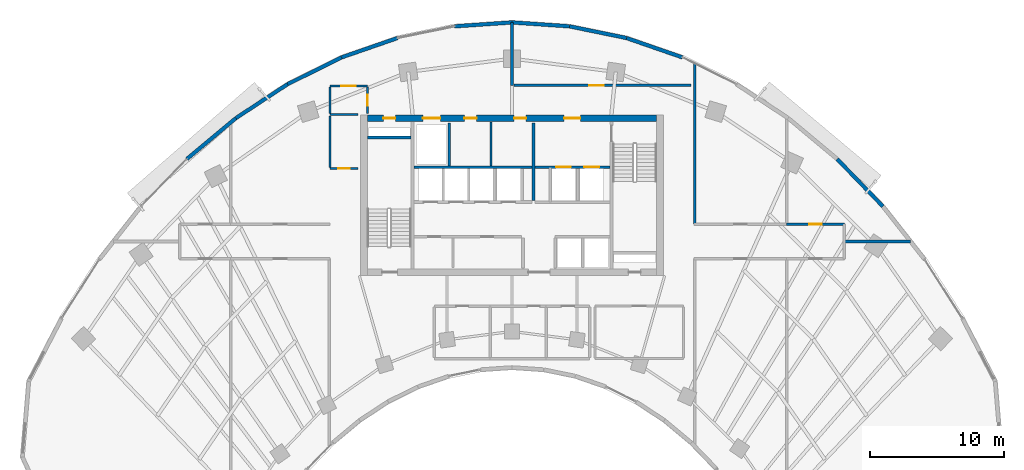
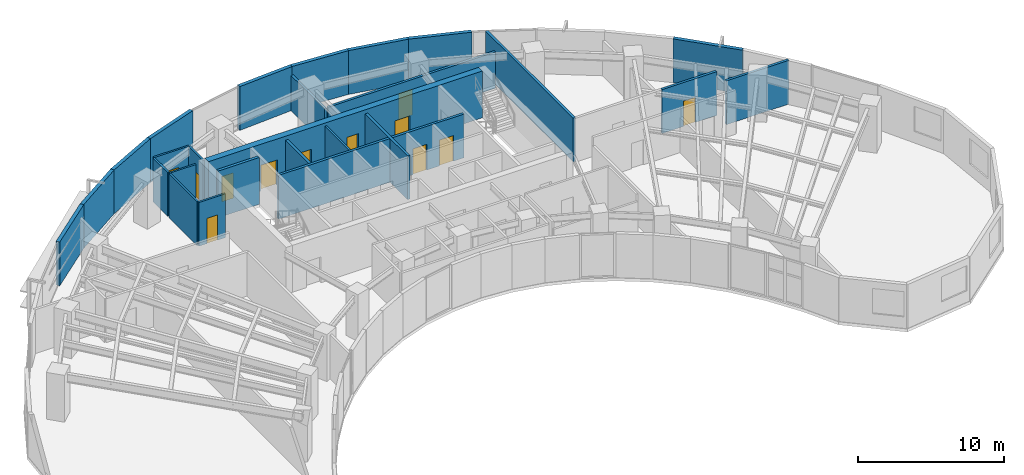
# One storey, part 10 of 13: 27 walls, 12 doors, 12 openings.
"""IFC4 building model written with IfcOpenShell, lengths in metres."""

from ifc_helpers import new_model, si_unit, direction, frame, frame_2d, origin, place, context, subcontext, project, spatial, rectangle, extrude, source, transform, mapped, material, layer, layer_set, type_object, type_shapes, element, fill, save


model = new_model("IFC4")

# Units and contexts
model_context = context("Model", 3, precision=1e-05, world=origin(), true_north=direction((0.0, 1.0)))
body_context = subcontext(model_context, "Body", "Model", "MODEL_VIEW")
ifc_project = project(units=[si_unit("LENGTHUNIT", "METRE"), si_unit("AREAUNIT", "SQUARE_METRE"), si_unit("VOLUMEUNIT", "CUBIC_METRE"), si_unit("PLANEANGLEUNIT", "RADIAN"), si_unit("MASSUNIT", "GRAM", prefix="KILO")], contexts=[model_context])

# Site, building, storey
site_placement = place(None, origin())
site = spatial("IfcSite", under=ifc_project, at=site_placement, CompositionType="ELEMENT")
building_placement = place(site_placement, origin())
building = spatial("IfcBuilding", under=site, at=building_placement, Name="Breltana Convention Tower", CompositionType="ELEMENT")
storey_placement = place(building_placement, frame((0.0, 0.0, 107.699951171875)))
storey = spatial("IfcBuildingStorey", under=building, at=storey_placement, Name="L25", CompositionType="ELEMENT", Elevation=107.699951171875)

# Wall, openings, doors
ifc_material_1 = material(Name="Concrete C60/75", Category="concrete")
ifc_layer_1 = layer(ifc_material_1, 0.5, Name="Concrete C60/75")
ifc_layer_set_1 = layer_set([ifc_layer_1], Name="Concrete C60/75")
wall_type_1 = type_object("IfcWallType", Name="SW-CORE-500", PredefinedType="SHEAR", material=ifc_layer_set_1)
shared_shape_1 = source(origin(), body_context, "Body", "SweptSolid", [
    extrude(rectangle(XDim=21.60009765625, YDim=0.5, at=frame_2d((10.800048828125, 0.0))), origin(), (0.0, 0.0, 1.0), 3.900146484375),
])
wall_1_placement = place(storey_placement, frame((37.199951171875, 71.949951171875, 0.0), z_axis=(0.0, 0.0, 1.0), x_axis=(1.0, 0.0, 0.0)))
wall_1 = element("IfcWall", 1, at=wall_1_placement, inside=storey, type_object=wall_type_1, Name="L25 North Core Shear Wall", PredefinedType="SHEAR", context=body_context, shape_type="MappedRepresentation", body=[
    mapped(shared_shape_1, transform((0.0, 0.0, 0.0), scale=1.0)),
])
opening_1_placement = place(wall_1_placement, frame((1.199951171875, 0.0, 0.0)))
opening_1 = element("IfcOpeningElement", 2, at=opening_1_placement, cuts=wall_1, Name="Opening D-18", PredefinedType="OPENING", context=body_context, shape_type="SweptSolid", body=[
    extrude(rectangle(XDim=0.89990234375, YDim=2.10009765625, at=frame_2d((0.449951171875, 1.050048828125))), frame((0.0, 0.260009765625, 0.0), z_axis=(0.0, -1.0, 0.0), x_axis=(1.0, 0.0, 0.0)), (0.0, 0.0, 1.0), 0.52001953125),
])
opening_2_placement = place(wall_1_placement, frame((14.699951171875, 0.0, 0.0)))
opening_2 = element("IfcOpeningElement", 3, at=opening_2_placement, cuts=wall_1, Name="Opening D-09", PredefinedType="OPENING", context=body_context, shape_type="SweptSolid", body=[
    extrude(rectangle(XDim=1.199951171875, YDim=2.14990234375, at=frame_2d((0.60009765625, 1.074951171875))), frame((0.0, 0.260009765625, 0.0), z_axis=(0.0, -1.0, 0.0), x_axis=(1.0, 0.0, 0.0)), (0.0, 0.0, 1.0), 0.52001953125),
])
opening_3_placement = place(wall_1_placement, frame((4.14990234375, 0.0, 0.0)))
opening_3 = element("IfcOpeningElement", 4, at=opening_3_placement, cuts=wall_1, Name="Opening LD-01", PredefinedType="OPENING", context=body_context, shape_type="SweptSolid", body=[
    extrude(rectangle(XDim=1.300048828125, YDim=2.14990234375, at=frame_2d((0.64990234375, 1.074951171875))), frame((0.0, 0.260009765625, 0.0), z_axis=(0.0, -1.0, 0.0), x_axis=(1.0, 0.0, 0.0)), (0.0, 0.0, 1.0), 0.52001953125),
])
opening_4_placement = place(wall_1_placement, frame((7.25, 0.0, 0.0)))
opening_4 = element("IfcOpeningElement", 5, at=opening_4_placement, cuts=wall_1, Name="Opening D-18", PredefinedType="OPENING", context=body_context, shape_type="SweptSolid", body=[
    extrude(rectangle(XDim=0.89990234375, YDim=2.10009765625, at=frame_2d((0.449951171875, 1.050048828125))), frame((0.0, 0.260009765625, 0.0), z_axis=(0.0, -1.0, 0.0), x_axis=(1.0, 0.0, 0.0)), (0.0, 0.0, 1.0), 0.52001953125),
])
opening_5_placement = place(wall_1_placement, frame((10.949951171875, 0.0, 0.0)))
opening_5 = element("IfcOpeningElement", 6, at=opening_5_placement, cuts=wall_1, Name="Opening D-18", PredefinedType="OPENING", context=body_context, shape_type="SweptSolid", body=[
    extrude(rectangle(XDim=0.89990234375, YDim=2.10009765625, at=frame_2d((0.449951171875, 1.050048828125))), frame((0.0, 0.260009765625, 0.0), z_axis=(0.0, -1.0, 0.0), x_axis=(1.0, 0.0, 0.0)), (0.0, 0.0, 1.0), 0.52001953125),
])
ifc_material_2 = material(Name="Steel Riser Fire Door", Category="steel")
door_type_1 = type_object("IfcDoorType", Name="DR-FD60-900", OperationType="NOTDEFINED", PredefinedType="DOOR", material=ifc_material_2)
shared_shape_2 = source(origin(), body_context, "Body", "SweptSolid", [
    extrude(rectangle(XDim=0.89990234375, YDim=2.10009765625, at=frame_2d((0.449951171875, 1.050048828125))), frame((0.0, 0.02490234375, 0.0), z_axis=(0.0, -1.0, 0.0), x_axis=(1.0, 0.0, 0.0)), (0.0, 0.0, 1.0), 0.050048828125),
])
type_shapes(door_type_1, [shared_shape_2])
door_1_placement = place(opening_1_placement, origin())
door_1 = element("IfcDoor", 7, at=door_1_placement, inside=storey, type_object=door_type_1, Name="L25 Core Riser Access Door D-L25-RS1", OperationType="SINGLE_SWING_LEFT", OverallHeight=2.10009765625, OverallWidth=0.89990234375, PredefinedType="DOOR", context=body_context, shape_type="MappedRepresentation", body=[
    mapped(shared_shape_2, transform((0.0, 0.0, 0.0), scale=1.0)),
])
fill(opening_1, door_1)
door_2_placement = place(opening_4_placement, origin())
door_2 = element("IfcDoor", 8, at=door_2_placement, inside=storey, type_object=door_type_1, Name="L25 interior door D-L25-CRA1", OperationType="SINGLE_SWING_LEFT", OverallHeight=2.10009765625, OverallWidth=0.89990234375, PredefinedType="DOOR", context=body_context, shape_type="MappedRepresentation", body=[
    mapped(shared_shape_2, transform((0.0, 0.0, 0.0), scale=1.0)),
])
fill(opening_4, door_2)
door_3_placement = place(opening_5_placement, origin())
door_3 = element("IfcDoor", 9, at=door_3_placement, inside=storey, type_object=door_type_1, Name="L25 interior door D-L25-CRA2", OperationType="SINGLE_SWING_RIGHT", OverallHeight=2.10009765625, OverallWidth=0.89990234375, PredefinedType="DOOR", context=body_context, shape_type="MappedRepresentation", body=[
    mapped(shared_shape_2, transform((0.0, 0.0, 0.0), scale=1.0)),
])
fill(opening_5, door_3)
ifc_material_3 = material(Name="Steel Fire Lobby Door", Category="steel")
door_type_2 = type_object("IfcDoorType", Name="DR-FD120-1200", OperationType="NOTDEFINED", PredefinedType="DOOR", material=ifc_material_3)
shared_shape_3 = source(origin(), body_context, "Body", "SweptSolid", [
    extrude(rectangle(XDim=1.199951171875, YDim=2.14990234375, at=frame_2d((0.60009765625, 1.074951171875))), frame((0.0, 0.02490234375, 0.0), z_axis=(0.0, -1.0, 0.0), x_axis=(1.0, 0.0, 0.0)), (0.0, 0.0, 1.0), 0.050048828125),
])
type_shapes(door_type_2, [shared_shape_3])
door_4_placement = place(opening_2_placement, origin())
door_4 = element("IfcDoor", 10, at=door_4_placement, inside=storey, type_object=door_type_2, Name="L25 interior door D-L25-FFL-N", OperationType="SINGLE_SWING_RIGHT", OverallHeight=2.14990234375, OverallWidth=1.199951171875, PredefinedType="DOOR", context=body_context, shape_type="MappedRepresentation", body=[
    mapped(shared_shape_3, transform((0.0, 0.0, 0.0), scale=1.0)),
])
fill(opening_2, door_4)
ifc_material_4 = material(Name="Stainless Steel Brushed", Category="steel")
door_type_3 = type_object("IfcDoorType", Name="DR-LD-SRV-1300", OperationType="DOUBLE_DOOR_SLIDING", PredefinedType="DOOR", material=ifc_material_4)
shared_shape_4 = source(origin(), body_context, "Body", "SweptSolid", [
    extrude(rectangle(XDim=1.300048828125, YDim=2.14990234375, at=frame_2d((0.64990234375, 1.074951171875))), frame((0.0, 0.02490234375, 0.0), z_axis=(0.0, -1.0, 0.0), x_axis=(1.0, 0.0, 0.0)), (0.0, 0.0, 1.0), 0.050048828125),
])
type_shapes(door_type_3, [shared_shape_4])
door_5_placement = place(opening_3_placement, origin())
door_5 = element("IfcDoor", 11, at=door_5_placement, inside=storey, type_object=door_type_3, Name="L25 Lift Landing Door D-L25-LD-SV1", OperationType="DOUBLE_DOOR_SLIDING", OverallHeight=2.14990234375, OverallWidth=1.300048828125, PredefinedType="DOOR", context=body_context, shape_type="MappedRepresentation", body=[
    mapped(shared_shape_4, transform((0.0, 0.0, 0.0), scale=1.0)),
])
fill(opening_3, door_5)

# Walls
ifc_material_5 = material(Name="Concrete C50/60", Category="concrete")
ifc_layer_2 = layer(ifc_material_5, 0.39990234375, Name="Concrete C50/60")
ifc_layer_set_2 = layer_set([ifc_layer_2], Name="Concrete C50/60")
wall_type_2 = type_object("IfcWallType", Name="SW-CORE-400", PredefinedType="SHEAR", material=ifc_layer_set_2)
shared_shape_5 = source(origin(), body_context, "Body", "SweptSolid", [
    extrude(rectangle(XDim=3.27001953125, YDim=0.219970703125, at=frame_2d((1.635009765625, 0.0))), origin(), (0.0, 0.0, 1.0), 3.900146484375),
])
wall_2_placement = place(storey_placement, frame((37.199951171875, 70.510009765625, 0.0), z_axis=(0.0, 0.0, 1.0), x_axis=(1.0, 0.0, 0.0)))
element("IfcWall", 12, at=wall_2_placement, inside=storey, type_object=wall_type_2, Name="L25 ST-1 Stairwell North Bearing Wall", PredefinedType="SHEAR", context=body_context, shape_type="MappedRepresentation", body=[
    mapped(shared_shape_5, transform((0.0, 0.0, 0.0), scale=1.0)),
])
ifc_material_6 = material(Name="Limestone Buff Insulated Wall", Category="masonry")
ifc_layer_3 = layer(ifc_material_6, 0.280029296875, Name="Limestone Buff Insulated Wall")
ifc_layer_set_3 = layer_set([ifc_layer_3], Name="Limestone Buff Insulated Wall")
wall_type_3 = type_object("IfcWallType", Name="WL-EXT-NOSE-280", PredefinedType="SOLIDWALL", material=ifc_layer_set_3)
shared_shape_6 = source(origin(), body_context, "Body", "SweptSolid", [
    extrude(rectangle(XDim=4.908447265625, YDim=0.280029296875, at=frame_2d((2.4541015625, 0.0))), origin(), (0.0, 0.0, 1.0), 3.650146484375),
])
wall_3_placement = place(storey_placement, frame((72.275390625, 68.907470703125, 0.0), z_axis=(0.0, 0.0, 1.0), x_axis=(0.694613154328, -0.719383462302, 0.0)))
element("IfcWall", 13, at=wall_3_placement, inside=storey, type_object=wall_type_3, Name="L25 curved limestone nose wall E31", PredefinedType="SOLIDWALL", context=body_context, shape_type="MappedRepresentation", body=[
    mapped(shared_shape_6, transform((0.0, 0.0, 0.0), scale=1.0)),
])
shared_shape_7 = source(origin(), body_context, "Body", "SweptSolid", [
    extrude(rectangle(XDim=4.76220703125, YDim=0.280029296875, at=frame_2d((2.381103515625, 0.0))), origin(), (0.0, 0.0, 1.0), 3.650146484375),
])
wall_4_placement = place(storey_placement, frame((23.724609375, 68.907470703125, 0.0), z_axis=(0.0, 0.0, 1.0), x_axis=(0.767952279762, 0.640507061638, 0.0)))
element("IfcWall", 14, at=wall_4_placement, inside=storey, type_object=wall_type_3, Name="L25 curved limestone nose wall E21", PredefinedType="SOLIDWALL", context=body_context, shape_type="MappedRepresentation", body=[
    mapped(shared_shape_7, transform((0.0, 0.0, 0.0), scale=1.0)),
])
shared_shape_8 = source(origin(), body_context, "Body", "SweptSolid", [
    extrude(rectangle(XDim=4.625732421875, YDim=0.280029296875, at=frame_2d((2.31298828125, 0.0))), origin(), (0.0, 0.0, 1.0), 3.650146484375),
])
wall_5_placement = place(storey_placement, frame((27.3818359375, 71.957763671875, 0.0), z_axis=(0.0, 0.0, 1.0), x_axis=(0.83595938331, 0.548791316855, 0.0)))
element("IfcWall", 15, at=wall_5_placement, inside=storey, type_object=wall_type_3, Name="L25 curved limestone nose wall E22", PredefinedType="SOLIDWALL", context=body_context, shape_type="MappedRepresentation", body=[
    mapped(shared_shape_8, transform((0.0, 0.0, 0.0), scale=1.0)),
])
shared_shape_9 = source(origin(), body_context, "Body", "SweptSolid", [
    extrude(rectangle(XDim=4.408935546875, YDim=0.280029296875, at=frame_2d((2.20458984375, 0.0))), origin(), (0.0, 0.0, 1.0), 3.650146484375),
])
for number, where, z_axis, x_axis, name in (
    (16, (35.28564453125, 76.497314453125, 0.0), (0.0, 0.0, 1.0), (0.944879374121, 0.327418643881, 0.0), "L25 curved limestone nose wall E24"),
    (17, (56.54833984375, 77.94091796875, 0.0), (0.0, 0.0, 1.0), (0.944879374121, -0.327418643881, 0.0), "L25 curved limestone nose wall E28"),
):
    element("IfcWall", number, at=place(storey_placement, frame(where, z_axis=z_axis, x_axis=x_axis)), inside=storey, type_object=wall_type_3, Name=name, PredefinedType="SOLIDWALL", context=body_context, shape_type="MappedRepresentation", body=[
        mapped(shared_shape_9, transform((0.0, 0.0, 0.0), scale=1.0)),
    ])
shared_shape_10 = source(origin(), body_context, "Body", "SweptSolid", [
    extrude(rectangle(XDim=4.3408203125, YDim=0.280029296875, at=frame_2d((2.17041015625, 0.0))), origin(), (0.0, 0.0, 1.0), 3.650146484375),
])
wall_6_placement = place(storey_placement, frame((52.2958984375, 78.81298828125, 0.0), z_axis=(0.0, 0.0, 1.0), x_axis=(0.979612918634, -0.20089432457, 0.0)))
element("IfcWall", 18, at=wall_6_placement, inside=storey, type_object=wall_type_3, Name="L25 curved limestone nose wall E27", PredefinedType="SOLIDWALL", context=body_context, shape_type="MappedRepresentation", body=[
    mapped(shared_shape_10, transform((0.0, 0.0, 0.0), scale=1.0)),
])
shared_shape_11 = source(origin(), body_context, "Body", "SweptSolid", [
    extrude(rectangle(XDim=4.3056640625, YDim=0.280029296875, at=frame_2d((2.15283203125, 0.0))), origin(), (0.0, 0.0, 1.0), 3.650146484375),
])
for number, where, z_axis, x_axis, name in (
    (19, (43.7041015625, 78.81298828125, 0.0), (0.0, 0.0, 1.0), (0.997705679258, 0.067700646797, 0.0), "L25 curved limestone nose wall E25"),
    (20, (48.0, 79.1044921875, 0.0), (0.0, 0.0, 1.0), (0.997705679258, -0.067700646797, 0.0), "L25 curved limestone nose wall E26"),
):
    element("IfcWall", number, at=place(storey_placement, frame(where, z_axis=z_axis, x_axis=x_axis)), inside=storey, type_object=wall_type_3, Name=name, PredefinedType="SOLIDWALL", context=body_context, shape_type="MappedRepresentation", body=[
        mapped(shared_shape_11, transform((0.0, 0.0, 0.0), scale=1.0)),
    ])
shared_shape_12 = source(origin(), body_context, "Body", "SweptSolid", [
    extrude(rectangle(XDim=4.505615234375, YDim=0.280029296875, at=frame_2d((2.2529296875, 0.0))), origin(), (0.0, 0.0, 1.0), 3.650146484375),
])
wall_7_placement = place(storey_placement, frame((31.248779296875, 74.496337890625, 0.0), z_axis=(0.0, 0.0, 1.0), x_axis=(0.89597155075, 0.444111450254, 0.0)))
element("IfcWall", 21, at=wall_7_placement, inside=storey, type_object=wall_type_3, Name="L25 curved limestone nose wall E23", PredefinedType="SOLIDWALL", context=body_context, shape_type="MappedRepresentation", body=[
    mapped(shared_shape_12, transform((0.0, 0.0, 0.0), scale=1.0)),
])

# Wall, openings, doors
ifc_material_7 = material(Name="Autoclaved Aerated Concrete Block", Category="concrete")
ifc_layer_4 = layer(ifc_material_7, 0.199951171875, Name="Autoclaved Aerated Concrete Block")
ifc_layer_set_4 = layer_set([ifc_layer_4], Name="Autoclaved Aerated Concrete Block")
wall_type_4 = type_object("IfcWallType", Name="WL-SHAFT-200", PredefinedType="SOLIDWALL", material=ifc_layer_set_4)
shared_shape_13 = source(origin(), body_context, "Body", "SweptSolid", [
    extrude(rectangle(XDim=5.6201171875, YDim=0.199951171875, at=frame_2d((2.81005859375, 0.0))), origin(), (0.0, 0.0, 1.0), 3.650146484375),
])
wall_8_placement = place(storey_placement, frame((49.699951171875, 68.300048828125, 0.0), z_axis=(0.0, 0.0, 1.0), x_axis=(1.0, 0.0, 0.0)))
wall_8 = element("IfcWall", 22, at=wall_8_placement, inside=storey, type_object=wall_type_4, Name="L25 interior partition W-L25-FFL-S", PredefinedType="SOLIDWALL", context=body_context, shape_type="MappedRepresentation", body=[
    mapped(shared_shape_13, transform((0.0, 0.0, 0.0), scale=1.0)),
])
opening_6_placement = place(wall_8_placement, frame((1.60009765625, 0.0, 0.0)))
opening_6 = element("IfcOpeningElement", 23, at=opening_6_placement, cuts=wall_8, Name="Opening LD-03", PredefinedType="OPENING", context=body_context, shape_type="SweptSolid", body=[
    extrude(rectangle(XDim=1.10009765625, YDim=2.14990234375, at=frame_2d((0.550048828125, 1.074951171875))), frame((0.0, 0.10986328125, 0.0), z_axis=(0.0, -1.0, 0.0), x_axis=(1.0, 0.0, 0.0)), (0.0, 0.0, 1.0), 0.219970703125),
])
opening_7_placement = place(wall_8_placement, frame((3.699951171875, 0.0, 0.0)))
opening_7 = element("IfcOpeningElement", 24, at=opening_7_placement, cuts=wall_8, Name="Opening LD-03", PredefinedType="OPENING", context=body_context, shape_type="SweptSolid", body=[
    extrude(rectangle(XDim=1.10009765625, YDim=2.14990234375, at=frame_2d((0.550048828125, 1.074951171875))), frame((0.0, 0.10986328125, 0.0), z_axis=(0.0, -1.0, 0.0), x_axis=(1.0, 0.0, 0.0)), (0.0, 0.0, 1.0), 0.219970703125),
])
door_type_4 = type_object("IfcDoorType", Name="DR-LD-FF-1100", OperationType="DOUBLE_DOOR_SLIDING", PredefinedType="DOOR", material=ifc_material_4)
shared_shape_14 = source(origin(), body_context, "Body", "SweptSolid", [
    extrude(rectangle(XDim=1.10009765625, YDim=2.14990234375, at=frame_2d((0.550048828125, 1.074951171875))), frame((0.0, 0.02490234375, 0.0), z_axis=(0.0, -1.0, 0.0), x_axis=(1.0, 0.0, 0.0)), (0.0, 0.0, 1.0), 0.050048828125),
])
type_shapes(door_type_4, [shared_shape_14])
door_6_placement = place(opening_6_placement, origin())
door_6 = element("IfcDoor", 25, at=door_6_placement, inside=storey, type_object=door_type_4, Name="L25 Lift Landing Door D-L25-LD-FL1", OperationType="DOUBLE_DOOR_SLIDING", OverallHeight=2.14990234375, OverallWidth=1.10009765625, PredefinedType="DOOR", context=body_context, shape_type="MappedRepresentation", body=[
    mapped(shared_shape_14, transform((0.0, 0.0, 0.0), scale=1.0)),
])
fill(opening_6, door_6)
door_7_placement = place(opening_7_placement, origin())
door_7 = element("IfcDoor", 26, at=door_7_placement, inside=storey, type_object=door_type_4, Name="L25 Lift Landing Door D-L25-LD-FL2", OperationType="DOUBLE_DOOR_SLIDING", OverallHeight=2.14990234375, OverallWidth=1.10009765625, PredefinedType="DOOR", context=body_context, shape_type="MappedRepresentation", body=[
    mapped(shared_shape_14, transform((0.0, 0.0, 0.0), scale=1.0)),
])
fill(opening_7, door_7)

# Walls
shared_shape_15 = source(origin(), body_context, "Body", "SweptSolid", [
    extrude(rectangle(XDim=5.800048828125, YDim=0.199951171875, at=frame_2d((2.89990234375, 0.0))), origin(), (0.0, 0.0, 1.0), 3.650146484375),
])
wall_9_placement = place(storey_placement, frame((49.60009765625, 65.800048828125, 0.0), z_axis=(0.0, 0.0, 1.0), x_axis=(0.0, 1.0, 0.0)))
element("IfcWall", 27, at=wall_9_placement, inside=storey, type_object=wall_type_4, Name="L25 interior partition W-L25-FFL-W", PredefinedType="SOLIDWALL", context=body_context, shape_type="MappedRepresentation", body=[
    mapped(shared_shape_15, transform((0.0, 0.0, 0.0), scale=1.0)),
])
shared_shape_16 = source(origin(), body_context, "Body", "SweptSolid", [
    extrude(rectangle(XDim=3.2001953125, YDim=0.199951171875, at=frame_2d((1.60009765625, 0.0))), origin(), (0.0, 0.0, 1.0), 3.650146484375),
])
wall_10_placement = place(storey_placement, frame((43.320068359375, 68.39990234375, 0.0), z_axis=(0.0, 0.0, 1.0), x_axis=(0.0, 1.0, 0.0)))
element("IfcWall", 28, at=wall_10_placement, inside=storey, type_object=wall_type_4, Name="L25 interior partition W-L25-SV-E", PredefinedType="SOLIDWALL", context=body_context, shape_type="MappedRepresentation", body=[
    mapped(shared_shape_16, transform((0.0, 0.0, 0.0), scale=1.0)),
])
shared_shape_17 = source(origin(), body_context, "Body", "SweptSolid", [
    extrude(rectangle(XDim=8.800048828125, YDim=0.199951171875, at=frame_2d((4.39990234375, 0.0))), origin(), (0.0, 0.0, 1.0), 3.650146484375),
])
wall_11_placement = place(storey_placement, frame((40.699951171875, 68.300048828125, 0.0), z_axis=(0.0, 0.0, 1.0), x_axis=(1.0, 0.0, 0.0)))
element("IfcWall", 29, at=wall_11_placement, inside=storey, type_object=wall_type_4, Name="L25 interior partition W-L25-SV-S", PredefinedType="SOLIDWALL", context=body_context, shape_type="MappedRepresentation", body=[
    mapped(shared_shape_17, transform((0.0, 0.0, 0.0), scale=1.0)),
])
ifc_material_8 = material(Name="Gypsum Acoustic Drywall Partition")
ifc_layer_5 = layer(ifc_material_8, 0.14990234375, Name="Gypsum Acoustic Drywall Partition")
ifc_layer_set_5 = layer_set([ifc_layer_5], Name="Gypsum Acoustic Drywall Partition")
wall_type_5 = type_object("IfcWallType", Name="WL-PART-150", PredefinedType="PARTITIONING", material=ifc_layer_set_5)
shared_shape_18 = source(origin(), body_context, "Body", "SweptSolid", [
    extrude(rectangle(XDim=3.280029296875, YDim=0.14990234375, at=frame_2d((1.64013671875, 0.0))), origin(), (0.0, 0.0, 1.0), 3.650146484375),
])
wall_12_placement = place(storey_placement, frame((46.449951171875, 68.39990234375, 0.0), z_axis=(0.0, 0.0, 1.0), x_axis=(0.0, 1.0, 0.0)))
element("IfcWall", 30, at=wall_12_placement, inside=storey, type_object=wall_type_5, Name="L25 interior partition W-L25-KV-1", PredefinedType="PARTITIONING", context=body_context, shape_type="MappedRepresentation", body=[
    mapped(shared_shape_18, transform((0.0, 0.0, 0.0), scale=1.0)),
])
shared_shape_19 = source(origin(), body_context, "Body", "SweptSolid", [
    extrude(rectangle(XDim=2.10009765625, YDim=0.14990234375, at=frame_2d((1.050048828125, 0.0))), origin(), (0.0, 0.0, 1.0), 3.650146484375),
])
wall_13_placement = place(storey_placement, frame((34.39990234375, 72.219970703125, 0.0), z_axis=(0.0, 0.0, 1.0), x_axis=(1.0, 0.0, 0.0)))
element("IfcWall", 31, at=wall_13_placement, inside=storey, type_object=wall_type_5, Name="L25 interior partition W-L25-CRNW-S", PredefinedType="PARTITIONING", context=body_context, shape_type="MappedRepresentation", body=[
    mapped(shared_shape_19, transform((0.0, 0.0, 0.0), scale=1.0)),
])

# Wall, opening, door
wall_14_placement = place(storey_placement, frame((34.39990234375, 68.199951171875, 0.0), z_axis=(0.0, 0.0, 1.0), x_axis=(1.0, 0.0, 0.0)))
wall_14 = element("IfcWall", 32, at=wall_14_placement, inside=storey, type_object=wall_type_5, Name="L25 interior partition W-L25-CRSW-S", PredefinedType="PARTITIONING", context=body_context, shape_type="MappedRepresentation", body=[
    mapped(shared_shape_19, transform((0.0, 0.0, 0.0), scale=1.0)),
])
opening_8_placement = place(wall_14_placement, frame((0.625, 0.0, 0.0)))
opening_8 = element("IfcOpeningElement", 33, at=opening_8_placement, cuts=wall_14, Name="Opening D-20", PredefinedType="OPENING", context=body_context, shape_type="SweptSolid", body=[
    extrude(rectangle(XDim=0.85009765625, YDim=2.10009765625, at=frame_2d((0.425048828125, 1.050048828125))), frame((0.0, 0.0849609375, 0.0), z_axis=(0.0, -1.0, 0.0), x_axis=(1.0, 0.0, 0.0)), (0.0, 0.0, 1.0), 0.169921875),
])
ifc_material_9 = material(Name="Steel Closet Fire Door", Category="steel")
door_type_5 = type_object("IfcDoorType", Name="DR-FD60-850", OperationType="NOTDEFINED", PredefinedType="DOOR", material=ifc_material_9)
shared_shape_20 = source(origin(), body_context, "Body", "SweptSolid", [
    extrude(rectangle(XDim=0.85009765625, YDim=2.10009765625, at=frame_2d((0.425048828125, 1.050048828125))), frame((0.0, 0.02490234375, 0.0), z_axis=(0.0, -1.0, 0.0), x_axis=(1.0, 0.0, 0.0)), (0.0, 0.0, 1.0), 0.050048828125),
])
type_shapes(door_type_5, [shared_shape_20])
door_8_placement = place(opening_8_placement, origin())
door_8 = element("IfcDoor", 34, at=door_8_placement, inside=storey, type_object=door_type_5, Name="L25 interior door D-L25-CRSW", OperationType="SINGLE_SWING_RIGHT", OverallHeight=2.10009765625, OverallWidth=0.85009765625, PredefinedType="DOOR", context=body_context, shape_type="MappedRepresentation", body=[
    mapped(shared_shape_20, transform((0.0, 0.0, 0.0), scale=1.0)),
])
fill(opening_8, door_8)

shared_shape_21 = source(origin(), body_context, "Body", "SweptSolid", [
    extrude(rectangle(XDim=2.800048828125, YDim=0.14990234375, at=frame_2d((1.39990234375, 0.0))), origin(), (0.0, 0.0, 1.0), 3.650146484375),
])
wall_15_placement = place(storey_placement, frame((34.39990234375, 74.35009765625, 0.0), z_axis=(0.0, 0.0, 1.0), x_axis=(1.0, 0.0, 0.0)))
wall_15 = element("IfcWall", 35, at=wall_15_placement, inside=storey, type_object=wall_type_5, Name="L25 interior partition W-L25-CRNW-N", PredefinedType="PARTITIONING", context=body_context, shape_type="MappedRepresentation", body=[
    mapped(shared_shape_21, transform((0.0, 0.0, 0.0), scale=1.0)),
])
opening_9_placement = place(wall_15_placement, frame((0.85009765625, 0.0, 0.0)))
opening_9 = element("IfcOpeningElement", 36, at=opening_9_placement, cuts=wall_15, Name="Opening D-12", PredefinedType="OPENING", context=body_context, shape_type="SweptSolid", body=[
    extrude(rectangle(XDim=1.10009765625, YDim=2.14990234375, at=frame_2d((0.550048828125, 1.074951171875))), frame((0.0, 0.0849609375, 0.0), z_axis=(0.0, -1.0, 0.0), x_axis=(1.0, 0.0, 0.0)), (0.0, 0.0, 1.0), 0.169921875),
])
ifc_material_10 = material(Name="Timber Oak Acoustic Door", Category="wood")
door_type_6 = type_object("IfcDoorType", Name="DR-INT-1100", OperationType="NOTDEFINED", PredefinedType="DOOR", material=ifc_material_10)
shared_shape_22 = source(origin(), body_context, "Body", "SweptSolid", [
    extrude(rectangle(XDim=1.10009765625, YDim=2.14990234375, at=frame_2d((0.550048828125, 1.074951171875))), frame((0.0, 0.02490234375, 0.0), z_axis=(0.0, -1.0, 0.0), x_axis=(1.0, 0.0, 0.0)), (0.0, 0.0, 1.0), 0.050048828125),
])
type_shapes(door_type_6, [shared_shape_22])
door_9_placement = place(opening_9_placement, origin())
door_9 = element("IfcDoor", 37, at=door_9_placement, inside=storey, type_object=door_type_6, Name="L25 interior door D-L25-ZN1", OperationType="SINGLE_SWING_LEFT", OverallHeight=2.14990234375, OverallWidth=1.10009765625, PredefinedType="DOOR", context=body_context, shape_type="MappedRepresentation", body=[
    mapped(shared_shape_22, transform((0.0, 0.0, 0.0), scale=1.0)),
])
fill(opening_9, door_9)

# Wall
shared_shape_23 = source(origin(), body_context, "Body", "SweptSolid", [
    extrude(rectangle(XDim=1.994873046875, YDim=0.14990234375, at=frame_2d((0.99755859375, 0.0))), origin(), (0.0, 0.0, 1.0), 3.650146484375),
])
wall_16_placement = place(storey_placement, frame((34.39990234375, 72.28759765625, 0.0), z_axis=(0.0, 0.0, 1.0), x_axis=(0.0, 1.0, 0.0)))
element("IfcWall", 38, at=wall_16_placement, inside=storey, type_object=wall_type_5, Name="L25 interior partition W-L25-CRNW-W", PredefinedType="PARTITIONING", context=body_context, shape_type="MappedRepresentation", body=[
    mapped(shared_shape_23, transform((0.0, 0.0, 0.0), scale=1.0)),
])

# Wall, opening, door
shared_shape_24 = source(origin(), body_context, "Body", "SweptSolid", [
    extrude(rectangle(XDim=1.982421875, YDim=0.14990234375, at=frame_2d((0.9912109375, 0.0))), origin(), (0.0, 0.0, 1.0), 3.650146484375),
])
wall_17_placement = place(storey_placement, frame((37.199951171875, 72.300048828125, 0.0), z_axis=(0.0, 0.0, 1.0), x_axis=(0.0, 1.0, 0.0)))
wall_17 = element("IfcWall", 39, at=wall_17_placement, inside=storey, type_object=wall_type_5, Name="L25 interior partition W-L25-CRNW-E", PredefinedType="PARTITIONING", context=body_context, shape_type="MappedRepresentation", body=[
    mapped(shared_shape_24, transform((0.0, 0.0, 0.0), scale=1.0)),
])
opening_10_placement = place(wall_17_placement, frame((0.56640625, 0.0, 0.0)))
opening_10 = element("IfcOpeningElement", 40, at=opening_10_placement, cuts=wall_17, Name="Opening D-20", PredefinedType="OPENING", context=body_context, shape_type="SweptSolid", body=[
    extrude(rectangle(XDim=0.85009765625, YDim=2.10009765625, at=frame_2d((0.425048828125, 1.050048828125))), frame((0.0, 0.0849609375, 0.0), z_axis=(0.0, -1.0, 0.0), x_axis=(1.0, 0.0, 0.0)), (0.0, 0.0, 1.0), 0.169921875),
])
door_10_placement = place(opening_10_placement, origin())
door_10 = element("IfcDoor", 41, at=door_10_placement, inside=storey, type_object=door_type_5, Name="L25 interior door D-L25-CRNW", OperationType="SINGLE_SWING_LEFT", OverallHeight=2.10009765625, OverallWidth=0.85009765625, PredefinedType="DOOR", context=body_context, shape_type="MappedRepresentation", body=[
    mapped(shared_shape_20, transform((0.0, 0.0, 0.0), scale=1.0)),
])
fill(opening_10, door_10)

# Walls
shared_shape_25 = source(origin(), body_context, "Body", "SweptSolid", [
    extrude(rectangle(XDim=3.844970703125, YDim=0.14990234375, at=frame_2d((1.92236328125, 0.0))), origin(), (0.0, 0.0, 1.0), 3.650146484375),
])
wall_18_placement = place(storey_placement, frame((34.39990234375, 68.267578125, 0.0), z_axis=(0.0, 0.0, 1.0), x_axis=(0.0, 1.0, 0.0)))
element("IfcWall", 42, at=wall_18_placement, inside=storey, type_object=wall_type_5, Name="L25 interior partition W-L25-CRSW-W", PredefinedType="PARTITIONING", context=body_context, shape_type="MappedRepresentation", body=[
    mapped(shared_shape_25, transform((0.0, 0.0, 0.0), scale=1.0)),
])
ifc_material_11 = material(Name="Gypsum Acoustic Hotel Wall")
ifc_layer_6 = layer(ifc_material_11, 0.195068359375, Name="Gypsum Acoustic Hotel Wall")
ifc_layer_set_6 = layer_set([ifc_layer_6], Name="Gypsum Acoustic Hotel Wall")
wall_type_6 = type_object("IfcWallType", Name="WL-HOTEL-200", PredefinedType="PARTITIONING", material=ifc_layer_set_6)
shared_shape_26 = source(origin(), body_context, "Body", "SweptSolid", [
    extrude(rectangle(XDim=4.694580078125, YDim=0.195068359375, at=frame_2d((2.34716796875, 0.0))), origin(), (0.0, 0.0, 1.0), 2.942138671875),
])
wall_19_placement = place(storey_placement, frame((48.0, 74.39990234375, 0.0), z_axis=(0.0, 0.0, 1.0), x_axis=(0.0, 1.0, 0.0)))
element("IfcWall", 43, at=wall_19_placement, inside=storey, type_object=wall_type_6, Name="L25 interior partition W-L25-ZN1-E", PredefinedType="PARTITIONING", context=body_context, shape_type="MappedRepresentation", body=[
    mapped(shared_shape_26, transform((0.0, 0.0, 0.0), scale=1.0)),
])

# Wall, opening, door
shared_shape_27 = source(origin(), body_context, "Body", "SweptSolid", [
    extrude(rectangle(XDim=13.2001953125, YDim=0.195068359375, at=frame_2d((6.60009765625, 0.0))), origin(), (0.0, 0.0, 1.0), 3.02197265625),
])
wall_20_placement = place(storey_placement, frame((48.14990234375, 74.39990234375, 0.0), z_axis=(0.0, 0.0, 1.0), x_axis=(1.0, 0.0, 0.0)))
wall_20 = element("IfcWall", 44, at=wall_20_placement, inside=storey, type_object=wall_type_6, Name="L25 interior partition W-L25-ZN2-S", PredefinedType="PARTITIONING", context=body_context, shape_type="MappedRepresentation", body=[
    mapped(shared_shape_27, transform((0.0, 0.0, 0.0), scale=1.0)),
])
opening_11_placement = place(wall_20_placement, frame((5.60009765625, 0.0, 0.0)))
opening_11 = element("IfcOpeningElement", 45, at=opening_11_placement, cuts=wall_20, Name="Opening D-12", PredefinedType="OPENING", context=body_context, shape_type="SweptSolid", body=[
    extrude(rectangle(XDim=1.10009765625, YDim=2.14990234375, at=frame_2d((0.550048828125, 1.074951171875))), frame((0.0, 0.107421875, 0.0), z_axis=(0.0, -1.0, 0.0), x_axis=(1.0, 0.0, 0.0)), (0.0, 0.0, 1.0), 0.215087890625),
])
door_11_placement = place(opening_11_placement, origin())
door_11 = element("IfcDoor", 46, at=door_11_placement, inside=storey, type_object=door_type_6, Name="L25 interior door D-L25-ZN2", OperationType="SINGLE_SWING_RIGHT", OverallHeight=2.14990234375, OverallWidth=1.10009765625, PredefinedType="DOOR", context=body_context, shape_type="MappedRepresentation", body=[
    mapped(shared_shape_22, transform((0.0, 0.0, 0.0), scale=1.0)),
])
fill(opening_11, door_11)

shared_shape_28 = source(origin(), body_context, "Body", "SweptSolid", [
    extrude(rectangle(XDim=4.320068359375, YDim=0.195068359375, at=frame_2d((2.16015625, 0.0))), origin(), (0.0, 0.0, 1.0), 3.650146484375),
])
wall_21_placement = place(storey_placement, frame((68.5, 64.0400390625, 0.0), z_axis=(0.0, 0.0, 1.0), x_axis=(1.0, 0.0, 0.0)))
wall_21 = element("IfcWall", 47, at=wall_21_placement, inside=storey, type_object=wall_type_6, Name="L25 interior partition W-L25-ZEN2-D", PredefinedType="PARTITIONING", context=body_context, shape_type="MappedRepresentation", body=[
    mapped(shared_shape_28, transform((0.0, 0.0, 0.0), scale=1.0)),
])
opening_12_placement = place(wall_21_placement, frame((1.68505859375, 0.0, 0.0)))
opening_12 = element("IfcOpeningElement", 48, at=opening_12_placement, cuts=wall_21, Name="Opening D-17", PredefinedType="OPENING", context=body_context, shape_type="SweptSolid", body=[
    extrude(rectangle(XDim=0.949951171875, YDim=2.10009765625, at=frame_2d((0.47509765625, 1.050048828125))), frame((0.0, 0.107421875, 0.0), z_axis=(0.0, -1.0, 0.0), x_axis=(1.0, 0.0, 0.0)), (0.0, 0.0, 1.0), 0.215087890625),
])
ifc_material_12 = material(Name="Timber Oak Veneer Door", Category="wood")
door_type_7 = type_object("IfcDoorType", Name="DR-INT-950", OperationType="NOTDEFINED", PredefinedType="DOOR", material=ifc_material_12)
shared_shape_29 = source(origin(), body_context, "Body", "SweptSolid", [
    extrude(rectangle(XDim=0.949951171875, YDim=2.10009765625, at=frame_2d((0.47509765625, 1.050048828125))), frame((0.0, 0.02490234375, 0.0), z_axis=(0.0, -1.0, 0.0), x_axis=(1.0, 0.0, 0.0)), (0.0, 0.0, 1.0), 0.050048828125),
])
type_shapes(door_type_7, [shared_shape_29])
door_12_placement = place(opening_12_placement, origin())
door_12 = element("IfcDoor", 49, at=door_12_placement, inside=storey, type_object=door_type_7, Name="L25 interior door D-L25-ZEN2", OperationType="SINGLE_SWING_RIGHT", OverallHeight=2.10009765625, OverallWidth=0.949951171875, PredefinedType="DOOR", context=body_context, shape_type="MappedRepresentation", body=[
    mapped(shared_shape_29, transform((0.0, 0.0, 0.0), scale=1.0)),
])
fill(opening_12, door_12)

# Walls
shared_shape_30 = source(origin(), body_context, "Body", "SweptSolid", [
    extrude(rectangle(XDim=11.9873046875, YDim=0.195068359375, at=frame_2d((5.99365234375, 0.0))), origin(), (0.0, 0.0, 1.0), 3.650146484375),
])
wall_22_placement = place(storey_placement, frame((61.639892578125, 64.0400390625, 0.0), z_axis=(0.0, 0.0, 1.0), x_axis=(0.0, 1.0, 0.0)))
element("IfcWall", 50, at=wall_22_placement, inside=storey, type_object=wall_type_6, Name="L25 interior partition W-L25-ZODD-EN", PredefinedType="PARTITIONING", context=body_context, shape_type="MappedRepresentation", body=[
    mapped(shared_shape_30, transform((0.0, 0.0, 0.0), scale=1.0)),
])
shared_shape_31 = source(origin(), body_context, "Body", "SweptSolid", [
    extrude(rectangle(XDim=4.91748046875, YDim=0.195068359375, at=frame_2d((2.458740234375, 0.0))), origin(), (0.0, 0.0, 1.0), 3.650146484375),
])
wall_23_placement = place(storey_placement, frame((72.820068359375, 62.75, 0.0), z_axis=(0.0, 0.0, 1.0), x_axis=(1.0, 0.0, 0.0)))
element("IfcWall", 51, at=wall_23_placement, inside=storey, type_object=wall_type_6, Name="L25 interior partition W-L25-ZFE-EXT", PredefinedType="PARTITIONING", context=body_context, shape_type="MappedRepresentation", body=[
    mapped(shared_shape_31, transform((0.0, 0.0, 0.0), scale=1.0)),
])

save(model, "model.ifc")
